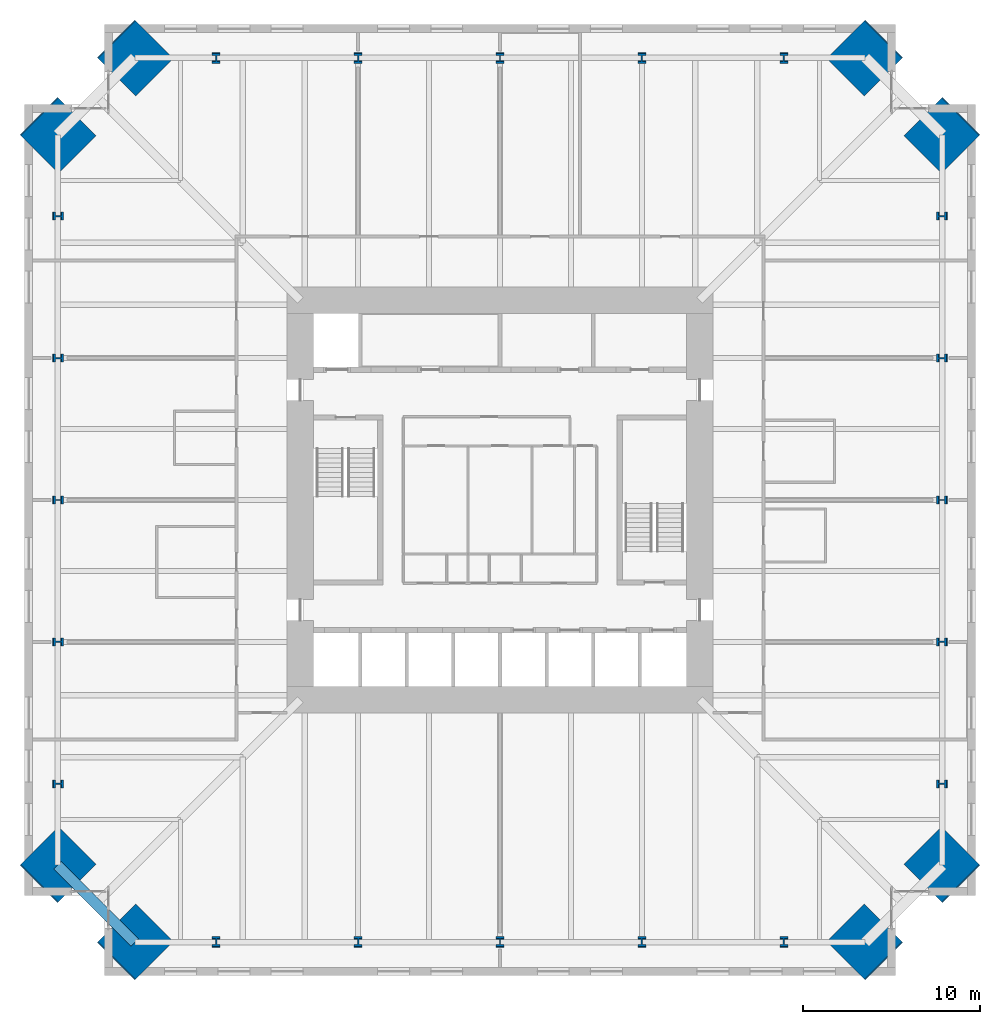
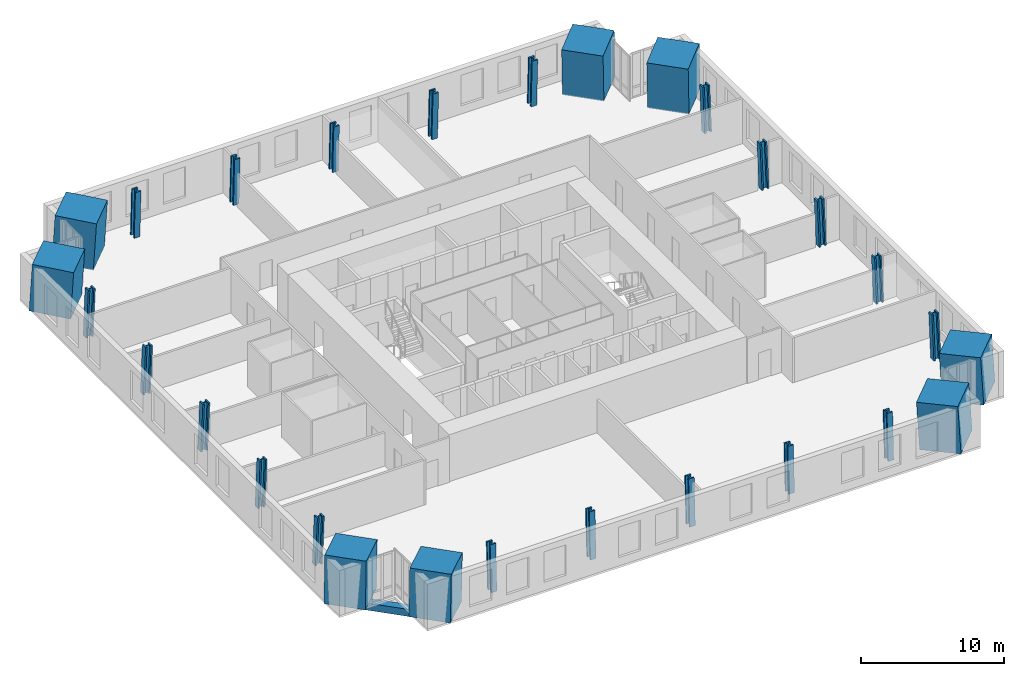
# One storey, part 1 of 17: 28 columns, 1 beam.
"""IFC4 building model written with IfcOpenShell, lengths in metres."""

from ifc_helpers import new_model, si_unit, direction, frame, origin, origin_2d, place, context, subcontext, project, spatial, rectangle, hollow_rectangle, i_section, extrude, material, material_profile, profile_set, type_object, element, save


model = new_model("IFC4")

# Units and contexts
model_context = context("Model", 3, precision=1e-05, world=origin(), true_north=direction((0.0, 1.0)))
body_context = subcontext(model_context, "Body", "Model", "MODEL_VIEW")
ifc_project = project(units=[si_unit("LENGTHUNIT", "METRE"), si_unit("AREAUNIT", "SQUARE_METRE"), si_unit("VOLUMEUNIT", "CUBIC_METRE"), si_unit("PLANEANGLEUNIT", "RADIAN"), si_unit("MASSUNIT", "GRAM", prefix="KILO")], contexts=[model_context])

# Site, building, storey
site_placement = place(None, origin())
site = spatial("IfcSite", under=ifc_project, at=site_placement, CompositionType="ELEMENT")
building_placement = place(site_placement, origin())
building = spatial("IfcBuilding", under=site, at=building_placement, Name="Peilmerk Tower", CompositionType="ELEMENT")
storey_placement = place(building_placement, frame((0.0, 0.0, 147.800048828125)))
storey = spatial("IfcBuildingStorey", under=building, at=storey_placement, Name="L30", CompositionType="ELEMENT", Elevation=147.800048828125)

# Columns
ifc_material_1 = material(Name="Concrete C90/105", Category="concrete")
ifc_material_profile_1 = material_profile(ifc_material_1, rectangle(XDim=3.0, YDim=3.0, at=origin_2d()), Name="RC 3000x3000")
ifc_profile_set_1 = profile_set([ifc_material_profile_1], Name="Concrete C90/105")
column_type_1 = type_object("IfcColumnType", Name="MC2 3000x3000 encased mega column", PredefinedType="COLUMN", material=ifc_profile_set_1)
for number, where, z_axis, x_axis, name in (
    (1, (20.587158203125, 24.93701171875, 0.0), (-0.040278830354, -0.040217894151, 0.998378754189), (0.706571297296, -0.707641859868, 0.0), "Mega column MC2 NE_N L30"),
    (2, (24.93701171875, 20.587158203125, 0.0), (-0.040217894151, -0.040278830354, 0.998378754189), (0.707641859868, -0.706571297296, 0.0), "Mega column MC2 NE_E L30"),
    (3, (24.93701171875, -20.587158203125, 0.0), (-0.040217894151, 0.040278830354, 0.998378754189), (-0.707641859868, -0.706571297296, 0.0), "Mega column MC2 SE_E L30"),
    (4, (20.587158203125, -24.93701171875, 0.0), (-0.040278830354, 0.040217894151, 0.998378754189), (-0.706571297296, -0.707641859868, 0.0), "Mega column MC2 SE_S L30"),
    (5, (-20.587158203125, -24.93701171875, 0.0), (0.040278830354, 0.040217894151, 0.998378754189), (-0.706571297296, 0.707641859868, 0.0), "Mega column MC2 SW_S L30"),
    (6, (-24.93701171875, -20.587158203125, 0.0), (0.040217894151, 0.040278830354, 0.998378754189), (-0.707641859868, 0.706571297296, 0.0), "Mega column MC2 SW_W L30"),
    (7, (-24.93701171875, 20.587158203125, 0.0), (0.040217894151, -0.040278830354, 0.998378754189), (0.707641859868, 0.706571297296, 0.0), "Mega column MC2 NW_W L30"),
    (8, (-20.587158203125, 24.93701171875, 0.0), (0.040278830354, -0.040217894151, 0.998378754189), (0.706571297296, 0.707641859868, 0.0), "Mega column MC2 NW_N L30"),
):
    element("IfcColumn", number, at=place(storey_placement, frame(where, z_axis=z_axis, x_axis=x_axis)), inside=storey, type_object=column_type_1, Name=name, PredefinedType="COLUMN", context=body_context, shape_type="SweptSolid", body=[
        extrude(rectangle(XDim=3.0, YDim=3.0, at=origin_2d()), origin(), (0.0, 0.0, 1.0), 4.006591796875),
    ])
ifc_material_2 = material(Name="Steel S460", Category="steel")
ifc_material_profile_2 = material_profile(ifc_material_2, i_section(OverallWidth=0.4541015625, OverallDepth=0.569091796875, WebThickness=0.077880859375, FlangeThickness=0.125, at=origin_2d()), Name="HD 400x1086")
ifc_profile_set_2 = profile_set([ifc_material_profile_2], Name="Steel S460")
column_type_2 = type_object("IfcColumnType", Name="SC6 HD 400x1086 interior column", PredefinedType="COLUMN", material=ifc_profile_set_2)
for number, where, z_axis, x_axis, name in (
    (9, (0.0, 24.93701171875, 0.0), (0.0, -0.040250558339, 0.999189617917), (1.0, 0.0, 0.0), "Perimeter column N+0 L30"),
    (10, (8.0, 24.93701171875, 0.0), (0.0, -0.040250558339, 0.999189617917), (1.0, 0.0, 0.0), "Perimeter column N-8 L30"),
    (11, (-8.0, 24.93701171875, 0.0), (0.0, -0.040250558339, 0.999189617917), (1.0, 0.0, 0.0), "Perimeter column N+8 L30"),
    (12, (16.0, 24.93701171875, 0.0), (0.0, -0.040250558339, 0.999189617917), (1.0, 0.0, 0.0), "Perimeter column N-16 L30"),
    (13, (-16.0, 24.93701171875, 0.0), (0.0, -0.040250558339, 0.999189617917), (1.0, 0.0, 0.0), "Perimeter column N+16 L30"),
    (14, (24.93701171875, 0.0, 0.0), (-0.040250558339, 0.0, 0.999189617917), (0.0, -1.0, 0.0), "Perimeter column E+0 L30"),
    (15, (24.93701171875, -8.0, 0.0), (-0.040250558339, 0.0, 0.999189617917), (0.0, -1.0, 0.0), "Perimeter column E-8 L30"),
    (16, (24.93701171875, 8.0, 0.0), (-0.040250558339, 0.0, 0.999189617917), (0.0, -1.0, 0.0), "Perimeter column E+8 L30"),
    (17, (24.93701171875, -16.0, 0.0), (-0.040250558339, 0.0, 0.999189617917), (0.0, -1.0, 0.0), "Perimeter column E-16 L30"),
    (18, (24.93701171875, 16.0, 0.0), (-0.040250558339, 0.0, 0.999189617917), (0.0, -1.0, 0.0), "Perimeter column E+16 L30"),
    (19, (0.0, -24.93701171875, 0.0), (0.0, 0.040250558339, 0.999189617917), (-1.0, 0.0, 0.0), "Perimeter column S+0 L30"),
    (20, (-8.0, -24.93701171875, 0.0), (0.0, 0.040250558339, 0.999189617917), (-1.0, 0.0, 0.0), "Perimeter column S-8 L30"),
    (21, (8.0, -24.93701171875, 0.0), (0.0, 0.040250558339, 0.999189617917), (-1.0, 0.0, 0.0), "Perimeter column S+8 L30"),
    (22, (-16.0, -24.93701171875, 0.0), (0.0, 0.040250558339, 0.999189617917), (-1.0, 0.0, 0.0), "Perimeter column S-16 L30"),
    (23, (16.0, -24.93701171875, 0.0), (0.0, 0.040250558339, 0.999189617917), (-1.0, 0.0, 0.0), "Perimeter column S+16 L30"),
    (24, (-24.93701171875, 0.0, 0.0), (0.040250558339, 0.0, 0.999189617917), (0.0, 1.0, 0.0), "Perimeter column W+0 L30"),
    (25, (-24.93701171875, 8.0, 0.0), (0.040250558339, 0.0, 0.999189617917), (0.0, 1.0, 0.0), "Perimeter column W-8 L30"),
    (26, (-24.93701171875, -8.0, 0.0), (0.040250558339, 0.0, 0.999189617917), (0.0, 1.0, 0.0), "Perimeter column W+8 L30"),
    (27, (-24.93701171875, 16.0, 0.0), (0.040250558339, 0.0, 0.999189617917), (0.0, 1.0, 0.0), "Perimeter column W-16 L30"),
    (28, (-24.93701171875, -16.0, 0.0), (0.040250558339, 0.0, 0.999189617917), (0.0, 1.0, 0.0), "Perimeter column W+16 L30"),
):
    element("IfcColumn", number, at=place(storey_placement, frame(where, z_axis=z_axis, x_axis=x_axis)), inside=storey, type_object=column_type_2, Name=name, PredefinedType="COLUMN", context=body_context, shape_type="SweptSolid", body=[
        extrude(i_section(OverallWidth=0.4541015625, OverallDepth=0.569091796875, WebThickness=0.077880859375, FlangeThickness=0.125, at=origin_2d()), origin(), (0.0, 0.0, 1.0), 4.003173828125),
    ])

# Beam
ifc_material_profile_3 = material_profile(ifc_material_2, hollow_rectangle(XDim=0.60009765625, YDim=0.60009765625, WallThickness=0.06005859375, at=origin_2d()), Name="BOX 600x600x60")
ifc_profile_set_3 = profile_set([ifc_material_profile_3], Name="Steel S460")
beam_type = type_object("IfcBeamType", Name="B20 BOX 600x600x60 notch beam", PredefinedType="SPANDREL", material=ifc_profile_set_3)
beam_placement = place(storey_placement, frame((-20.587158203125, -24.93701171875, -0.469970703125), z_axis=(-0.707106781187, 0.707106781187, 0.0), x_axis=(-0.707106781187, -0.707106781187, 0.0)))
element("IfcBeam", 29, at=beam_placement, inside=storey, type_object=beam_type, Name="Notch beam L30", PredefinedType="SPANDREL", context=body_context, shape_type="SweptSolid", body=[
    extrude(hollow_rectangle(XDim=0.60009765625, YDim=0.60009765625, WallThickness=0.06005859375, at=origin_2d()), origin(), (0.0, 0.0, 1.0), 6.151611328125),
])

save(model, "model.ifc")
